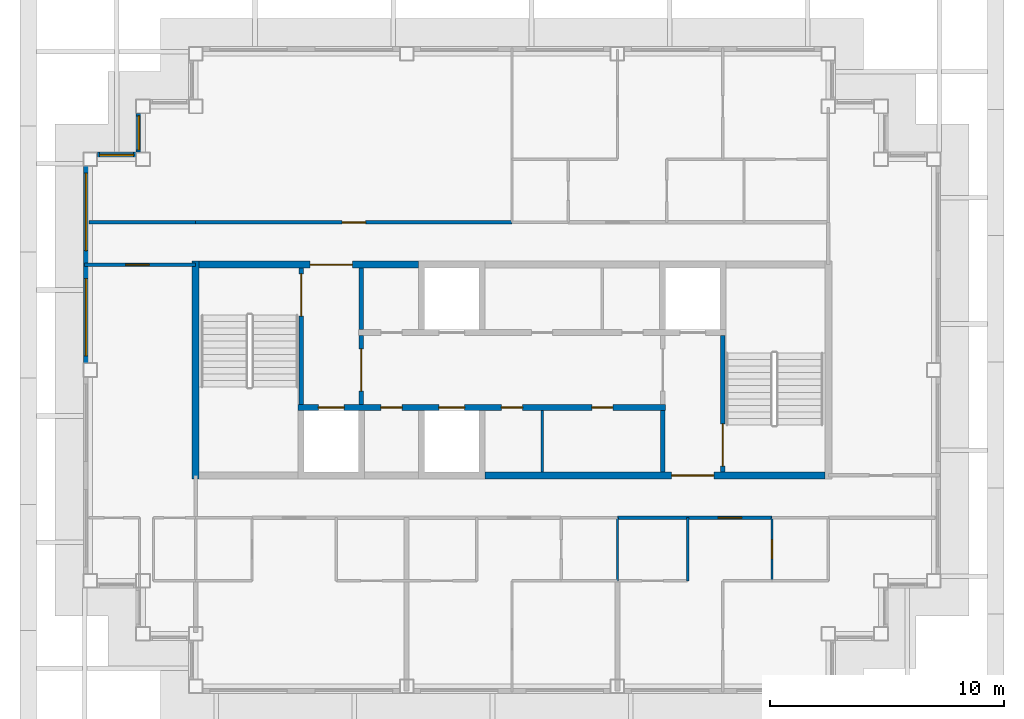
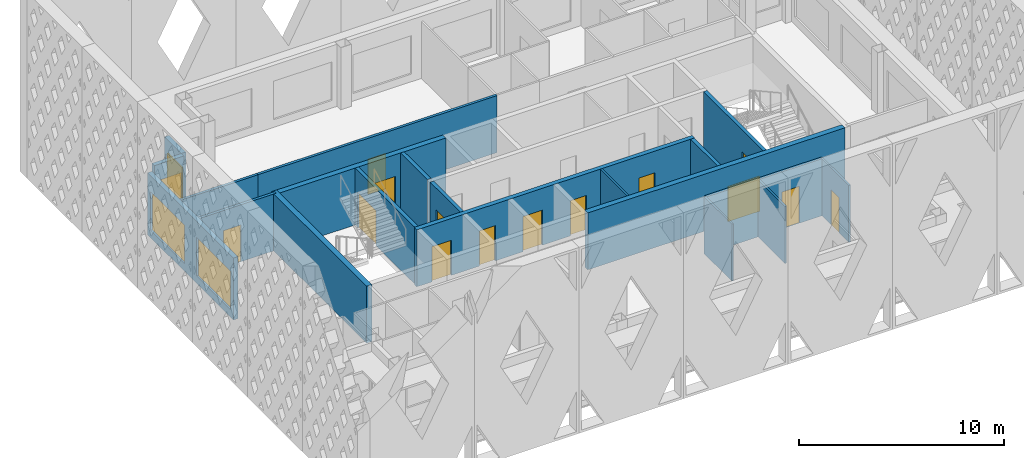
# One storey, part 3 of 13: 20 walls, 14 doors, 4 windows, 18 openings.
"""IFC4 building model written with IfcOpenShell, lengths in metres."""

from ifc_helpers import new_model, si_unit, direction, frame, frame_2d, origin, place, context, subcontext, project, spatial, rectangle, extrude, material, layer, layer_set, type_object, element, fill, save


model = new_model("IFC4")

# Units and contexts
model_context = context("Model", 3, precision=1e-05, world=origin(), true_north=direction((0.0, 1.0)))
body_context = subcontext(model_context, "Body", "Model", "MODEL_VIEW")
ifc_project = project(units=[si_unit("LENGTHUNIT", "METRE"), si_unit("AREAUNIT", "SQUARE_METRE"), si_unit("VOLUMEUNIT", "CUBIC_METRE"), si_unit("PLANEANGLEUNIT", "RADIAN"), si_unit("MASSUNIT", "GRAM", prefix="KILO")], contexts=[model_context])

# Site, building, storey
site_placement = place(None, origin())
site = spatial("IfcSite", under=ifc_project, at=site_placement, CompositionType="ELEMENT")
building_placement = place(site_placement, origin())
building = spatial("IfcBuilding", under=site, at=building_placement, Name="Caravel Reach Hotel and Residences", CompositionType="ELEMENT")
storey_placement = place(building_placement, frame((0.0, 0.0, 294.5)))
storey = spatial("IfcBuildingStorey", under=building, at=storey_placement, Name="L75", CompositionType="ELEMENT", Elevation=294.5)

# Wall
ifc_material_1 = material(Name="Gypsum board on steel stud", Category="steel")
ifc_layer_1 = layer(ifc_material_1, 0.10009765625)
ifc_layer_set_1 = layer_set([ifc_layer_1], Name="Bathroom pod wall 100 mm")
wall_type_1 = type_object("IfcWallType", Name="Bathroom pod wall 100 mm", PredefinedType="PARTITIONING", material=ifc_layer_set_1)
wall_1_placement = place(storey_placement, frame((36.0, 18.0, 0.0), z_axis=(0.0, 0.0, 1.0), x_axis=(0.0, 1.0, 0.0)))
element("IfcWall", 1, at=wall_1_placement, inside=storey, type_object=wall_type_1, Name="L75 wall w060", PredefinedType="PARTITIONING", context=body_context, shape_type="SweptSolid", body=[
    extrude(rectangle(XDim=2.699951171875, YDim=0.10009765625, at=frame_2d((1.35009765625, 0.0))), origin(), (0.0, 0.0, 1.0), 3.39990234375),
])

# Wall, opening, door
wall_2_placement = place(storey_placement, frame((42.60009765625, 18.0, 0.0), z_axis=(0.0, 0.0, 1.0), x_axis=(0.0, 1.0, 0.0)))
wall_2 = element("IfcWall", 2, at=wall_2_placement, inside=storey, type_object=wall_type_1, Name="L75 wall w061", PredefinedType="PARTITIONING", context=body_context, shape_type="SweptSolid", body=[
    extrude(rectangle(XDim=2.699951171875, YDim=0.10009765625, at=frame_2d((1.35009765625, 0.0))), origin(), (0.0, 0.0, 1.0), 3.39990234375),
])
opening_1_placement = place(wall_2_placement, frame((0.949951171875, 0.0, 0.0)))
opening_1 = element("IfcOpeningElement", 3, at=opening_1_placement, cuts=wall_2, Name="Opening D75-033", PredefinedType="OPENING", context=body_context, shape_type="SweptSolid", body=[
    extrude(rectangle(XDim=0.800048828125, YDim=2.10009765625, at=frame_2d((0.39990234375, 1.050048828125))), frame((0.0, 0.06005859375, 0.0), z_axis=(0.0, -1.0, 0.0), x_axis=(1.0, 0.0, 0.0)), (0.0, 0.0, 1.0), 0.1201171875),
])
ifc_material_2 = material(Name="Timber and steel door leaf", Category="steel")
door_type_1 = type_object("IfcDoorType", Name="Bathroom door 800 x 2100", OperationType="SINGLE_SWING_LEFT", PredefinedType="DOOR", material=ifc_material_2)
door_1_placement = place(opening_1_placement, origin())
door_1 = element("IfcDoor", 4, at=door_1_placement, inside=storey, type_object=door_type_1, Name="door D75-033", OperationType="SINGLE_SWING_LEFT", OverallHeight=2.10009765625, OverallWidth=0.800048828125, PredefinedType="DOOR", context=body_context, shape_type="SweptSolid", body=[
    extrude(rectangle(XDim=0.800048828125, YDim=2.10009765625, at=frame_2d((0.39990234375, 1.050048828125))), frame((0.0, 0.02490234375, 0.0), z_axis=(0.0, -1.0, 0.0), x_axis=(1.0, 0.0, 0.0)), (0.0, 0.0, 1.0), 0.050048828125),
])
fill(opening_1, door_1)

# Walls
ifc_material_3 = material(Name="Autoclaved aerated block wall")
ifc_layer_2 = layer(ifc_material_3, 0.199951171875)
ifc_layer_set_2 = layer_set([ifc_layer_2], Name="Compartment wall 200 mm EI 120")
wall_type_2 = type_object("IfcWallType", Name="Compartment wall 200 mm EI 120", PredefinedType="PARTITIONING", material=ifc_layer_set_2)
for number, where, z_axis, x_axis, name in (
    (5, (37.928466796875, 22.64990234375, 0.0), (0.0, 0.0, 1.0), (0.0, 1.0, 0.0), "L75 store partition"),
    (6, (25.071533203125, 28.72509765625, 0.0), (0.0, 0.0, 1.0), (0.0, 1.0, 0.0), "L75 store partition"),
):
    element("IfcWall", number, at=place(storey_placement, frame(where, z_axis=z_axis, x_axis=x_axis)), inside=storey, type_object=wall_type_2, Name=name, PredefinedType="PARTITIONING", context=body_context, shape_type="SweptSolid", body=[
        extrude(rectangle(XDim=2.625, YDim=0.199951171875, at=frame_2d((1.3125, 0.0))), origin(), (0.0, 0.0, 1.0), 3.39990234375),
    ])

# Wall, opening, door
ifc_material_4 = material(Name="Concrete C60", Category="concrete")
ifc_layer_3 = layer(ifc_material_4, 0.300048828125)
ifc_layer_set_3 = layer_set([ifc_layer_3], Name="Core wall 300 mm EI 120")
wall_type_3 = type_object("IfcWallType", Name="Core wall 300 mm EI 120", PredefinedType="SHEAR", material=ifc_layer_set_3)
wall_3_placement = place(storey_placement, frame((30.33935546875, 22.5, 0.0), z_axis=(0.0, 0.0, 1.0), x_axis=(1.0, 0.0, 0.0)))
wall_3 = element("IfcWall", 7, at=wall_3_placement, inside=storey, type_object=wall_type_3, Name="L75 core wall S3", PredefinedType="SHEAR", context=body_context, shape_type="SweptSolid", body=[
    extrude(rectangle(XDim=14.5107421875, YDim=0.300048828125, at=frame_2d((7.25537109375, 0.0))), origin(), (0.0, 0.0, 1.0), 3.39990234375),
])
opening_2_placement = place(wall_3_placement, frame((7.97509765625, 0.0, 0.0)))
opening_2 = element("IfcOpeningElement", 8, at=opening_2_placement, cuts=wall_3, Name="Opening D75-016", PredefinedType="OPENING", context=body_context, shape_type="SweptSolid", body=[
    extrude(rectangle(XDim=1.800048828125, YDim=2.10009765625, at=frame_2d((0.89990234375, 1.050048828125))), frame((0.0, 0.159912109375, 0.0), z_axis=(0.0, -1.0, 0.0), x_axis=(1.0, 0.0, 0.0)), (0.0, 0.0, 1.0), 0.320068359375),
])
ifc_material_5 = material(Name="Steel fire door leaf", Category="steel")
door_type_2 = type_object("IfcDoorType", Name="Fire lobby door pair 1800 x 2100 EI 90", OperationType="DOUBLE_DOOR_SINGLE_SWING", PredefinedType="DOOR", material=ifc_material_5)
door_2_placement = place(opening_2_placement, origin())
door_2 = element("IfcDoor", 9, at=door_2_placement, inside=storey, type_object=door_type_2, Name="lobby S door pair to corridor", OperationType="DOUBLE_DOOR_SINGLE_SWING", OverallHeight=2.10009765625, OverallWidth=1.800048828125, PredefinedType="DOOR", context=body_context, shape_type="SweptSolid", body=[
    extrude(rectangle(XDim=1.800048828125, YDim=2.10009765625, at=frame_2d((0.89990234375, 1.050048828125))), frame((0.0, 0.02490234375, 0.0), z_axis=(0.0, -1.0, 0.0), x_axis=(1.0, 0.0, 0.0)), (0.0, 0.0, 1.0), 0.050048828125),
])
fill(opening_2, door_2)

wall_4_placement = place(storey_placement, frame((18.14990234375, 31.5, 0.0), z_axis=(0.0, 0.0, 1.0), x_axis=(1.0, 0.0, 0.0)))
wall_4 = element("IfcWall", 10, at=wall_4_placement, inside=storey, type_object=wall_type_3, Name="L75 core wall N1", PredefinedType="SHEAR", context=body_context, shape_type="SweptSolid", body=[
    extrude(rectangle(XDim=9.367919921875, YDim=0.300048828125, at=frame_2d((4.68408203125, 0.0))), origin(), (0.0, 0.0, 1.0), 3.39990234375),
])
opening_3_placement = place(wall_4_placement, frame((4.735595703125, 0.0, 0.0)))
opening_3 = element("IfcOpeningElement", 11, at=opening_3_placement, cuts=wall_4, Name="Opening D75-015", PredefinedType="OPENING", context=body_context, shape_type="SweptSolid", body=[
    extrude(rectangle(XDim=1.800048828125, YDim=2.10009765625, at=frame_2d((0.89990234375, 1.050048828125))), frame((0.0, 0.159912109375, 0.0), z_axis=(0.0, -1.0, 0.0), x_axis=(1.0, 0.0, 0.0)), (0.0, 0.0, 1.0), 0.320068359375),
])
door_3_placement = place(opening_3_placement, origin())
door_3 = element("IfcDoor", 12, at=door_3_placement, inside=storey, type_object=door_type_2, Name="lobby N door pair to corridor", OperationType="DOUBLE_DOOR_SINGLE_SWING", OverallHeight=2.10009765625, OverallWidth=1.800048828125, PredefinedType="DOOR", context=body_context, shape_type="SweptSolid", body=[
    extrude(rectangle(XDim=1.800048828125, YDim=2.10009765625, at=frame_2d((0.89990234375, 1.050048828125))), frame((0.0, 0.02490234375, 0.0), z_axis=(0.0, -1.0, 0.0), x_axis=(1.0, 0.0, 0.0)), (0.0, 0.0, 1.0), 0.050048828125),
])
fill(opening_3, door_3)

# Wall
wall_5_placement = place(storey_placement, frame((18.0, 22.35009765625, 0.0), z_axis=(0.0, 0.0, 1.0), x_axis=(0.0, 1.0, 0.0)))
element("IfcWall", 13, at=wall_5_placement, inside=storey, type_object=wall_type_3, Name="L75 core wall W", PredefinedType="SHEAR", context=body_context, shape_type="SweptSolid", body=[
    extrude(rectangle(XDim=9.2998046875, YDim=0.300048828125, at=frame_2d((4.64990234375, 0.0))), origin(), (0.0, 0.0, 1.0), 3.39990234375),
])

# Wall, opening, door
ifc_material_6 = material(Name="Gypsum board on steel stud, fire-rated", Category="steel")
ifc_layer_4 = layer(ifc_material_6, 0.14990234375)
ifc_layer_set_4 = layer_set([ifc_layer_4], Name="Corridor wall 150 mm EI 60")
wall_type_4 = type_object("IfcWallType", Name="Corridor wall 150 mm EI 60", PredefinedType="PARTITIONING", material=ifc_layer_set_4)
wall_6_placement = place(storey_placement, frame((36.0, 20.699951171875, 0.0), z_axis=(0.0, 0.0, 1.0), x_axis=(1.0, 0.0, 0.0)))
wall_6 = element("IfcWall", 14, at=wall_6_placement, inside=storey, type_object=wall_type_4, Name="L75 wall w007", PredefinedType="PARTITIONING", context=body_context, shape_type="SweptSolid", body=[
    extrude(rectangle(XDim=6.60009765625, YDim=0.14990234375, at=frame_2d((3.300048828125, 0.0))), origin(), (0.0, 0.0, 1.0), 3.39990234375),
])
opening_4_placement = place(wall_6_placement, frame((4.300048828125, 0.0, 0.0)))
opening_4 = element("IfcOpeningElement", 15, at=opening_4_placement, cuts=wall_6, Name="Opening D75-031", PredefinedType="OPENING", context=body_context, shape_type="SweptSolid", body=[
    extrude(rectangle(XDim=1.0, YDim=2.199951171875, at=frame_2d((0.5, 1.10009765625))), frame((0.0, 0.0849609375, 0.0), z_axis=(0.0, -1.0, 0.0), x_axis=(1.0, 0.0, 0.0)), (0.0, 0.0, 1.0), 0.169921875),
])
ifc_material_7 = material(Name="Steel fire door leaf", Category="steel")
door_type_3 = type_object("IfcDoorType", Name="Flat entrance door 1000 x 2200 EI 60", OperationType="SINGLE_SWING_LEFT", PredefinedType="DOOR", material=ifc_material_7)
door_4_placement = place(opening_4_placement, origin())
door_4 = element("IfcDoor", 16, at=door_4_placement, inside=storey, type_object=door_type_3, Name="door D75-031", OperationType="SINGLE_SWING_LEFT", OverallHeight=2.199951171875, OverallWidth=1.0, PredefinedType="DOOR", context=body_context, shape_type="SweptSolid", body=[
    extrude(rectangle(XDim=1.0, YDim=2.199951171875, at=frame_2d((0.5, 1.10009765625))), frame((0.0, 0.02490234375, 0.0), z_axis=(0.0, -1.0, 0.0), x_axis=(1.0, 0.0, 0.0)), (0.0, 0.0, 1.0), 0.050048828125),
])
fill(opening_4, door_4)

wall_7_placement = place(storey_placement, frame((13.260009765625, 31.5, 0.0), z_axis=(0.0, 0.0, 1.0), x_axis=(1.0, 0.0, 0.0)))
wall_7 = element("IfcWall", 17, at=wall_7_placement, inside=storey, type_object=wall_type_4, Name="L75 wall w009", PredefinedType="PARTITIONING", context=body_context, shape_type="SweptSolid", body=[
    extrude(rectangle(XDim=4.739990234375, YDim=0.14990234375, at=frame_2d((2.3701171875, 0.0))), origin(), (0.0, 0.0, 1.0), 3.39990234375),
])
opening_5_placement = place(wall_7_placement, frame((1.75, 0.0, 0.0)))
opening_5 = element("IfcOpeningElement", 18, at=opening_5_placement, cuts=wall_7, Name="Opening D75-035", PredefinedType="OPENING", context=body_context, shape_type="SweptSolid", body=[
    extrude(rectangle(XDim=1.0, YDim=2.199951171875, at=frame_2d((0.5, 1.10009765625))), frame((0.0, 0.0849609375, 0.0), z_axis=(0.0, -1.0, 0.0), x_axis=(1.0, 0.0, 0.0)), (0.0, 0.0, 1.0), 0.169921875),
])
door_5_placement = place(opening_5_placement, origin())
door_5 = element("IfcDoor", 19, at=door_5_placement, inside=storey, type_object=door_type_3, Name="door D75-035", OperationType="SINGLE_SWING_LEFT", OverallHeight=2.199951171875, OverallWidth=1.0, PredefinedType="DOOR", context=body_context, shape_type="SweptSolid", body=[
    extrude(rectangle(XDim=1.0, YDim=2.199951171875, at=frame_2d((0.5, 1.10009765625))), frame((0.0, 0.02490234375, 0.0), z_axis=(0.0, -1.0, 0.0), x_axis=(1.0, 0.0, 0.0)), (0.0, 0.0, 1.0), 0.050048828125),
])
fill(opening_5, door_5)

# Wall
wall_8_placement = place(storey_placement, frame((13.449951171875, 33.300048828125, 0.0), z_axis=(0.0, 0.0, 1.0), x_axis=(1.0, 0.0, 0.0)))
element("IfcWall", 20, at=wall_8_placement, inside=storey, type_object=wall_type_4, Name="L75 wall w010", PredefinedType="PARTITIONING", context=body_context, shape_type="SweptSolid", body=[
    extrude(rectangle(XDim=4.549072265625, YDim=0.14990234375, at=frame_2d((2.2744140625, 0.0))), origin(), (0.0, 0.0, 1.0), 3.39990234375),
])

# Wall, opening, door
wall_9_placement = place(storey_placement, frame((18.0, 33.300048828125, 0.0), z_axis=(0.0, 0.0, 1.0), x_axis=(1.0, 0.0, 0.0)))
wall_9 = element("IfcWall", 21, at=wall_9_placement, inside=storey, type_object=wall_type_4, Name="L75 wall w011", PredefinedType="PARTITIONING", context=body_context, shape_type="SweptSolid", body=[
    extrude(rectangle(XDim=13.5, YDim=0.14990234375, at=frame_2d((6.75, 0.0))), origin(), (0.0, 0.0, 1.0), 3.39990234375),
])
opening_6_placement = place(wall_9_placement, frame((6.25, 0.0, 0.0)))
opening_6 = element("IfcOpeningElement", 22, at=opening_6_placement, cuts=wall_9, Name="Opening D75-017", PredefinedType="OPENING", context=body_context, shape_type="SweptSolid", body=[
    extrude(rectangle(XDim=1.0, YDim=2.10009765625, at=frame_2d((0.5, 1.050048828125))), frame((0.0, 0.0849609375, 0.0), z_axis=(0.0, -1.0, 0.0), x_axis=(1.0, 0.0, 0.0)), (0.0, 0.0, 1.0), 0.169921875),
])
ifc_material_8 = material(Name="Steel fire door leaf", Category="steel")
door_type_4 = type_object("IfcDoorType", Name="Fire door 1000 x 2100 EI 60", OperationType="SINGLE_SWING_LEFT", PredefinedType="DOOR", material=ifc_material_8)
door_6_placement = place(opening_6_placement, origin())
door_6 = element("IfcDoor", 23, at=door_6_placement, inside=storey, type_object=door_type_4, Name="door D75-017", OperationType="SINGLE_SWING_LEFT", OverallHeight=2.10009765625, OverallWidth=1.0, PredefinedType="DOOR", context=body_context, shape_type="SweptSolid", body=[
    extrude(rectangle(XDim=1.0, YDim=2.10009765625, at=frame_2d((0.5, 1.050048828125))), frame((0.0, 0.02490234375, 0.0), z_axis=(0.0, -1.0, 0.0), x_axis=(1.0, 0.0, 0.0)), (0.0, 0.0, 1.0), 0.050048828125),
])
fill(opening_6, door_6)

# Wall, opening, window
ifc_material_9 = material(Name="Insulated rainscreen wall, aluminium cladding", Category="aluminium")
ifc_layer_5 = layer(ifc_material_9, 0.25)
ifc_layer_set_5 = layer_set([ifc_layer_5], Name="EW1 Tower rainscreen wall")
wall_type_5 = type_object("IfcWallType", Name="EW1 Tower rainscreen wall", PredefinedType="SOLIDWALL", material=ifc_layer_set_5)
wall_10_placement = place(storey_placement, frame((15.574951171875, 37.949951171875, 0.0), z_axis=(0.0, 0.0, 1.0), x_axis=(0.0, -1.0, 0.0)))
wall_10 = element("IfcWall", 24, at=wall_10_placement, inside=storey, type_object=wall_type_5, Name="External wall L75 W13.1", PredefinedType="SOLIDWALL", context=body_context, shape_type="SweptSolid", body=[
    extrude(rectangle(XDim=1.64990234375, YDim=0.25, at=frame_2d((0.824951171875, 0.0))), origin(), (0.0, 0.0, 1.0), 3.699951171875),
])
opening_7_placement = place(wall_10_placement, frame((0.10009765625, 0.0, 0.89990234375)))
opening_7 = element("IfcOpeningElement", 25, at=opening_7_placement, cuts=wall_10, Name="Opening WN25", PredefinedType="OPENING", context=body_context, shape_type="SweptSolid", body=[
    extrude(rectangle(XDim=1.449951171875, YDim=1.85009765625, at=frame_2d((0.72509765625, 0.925048828125))), frame((0.0, 0.135009765625, 0.0), z_axis=(0.0, -1.0, 0.0), x_axis=(1.0, 0.0, 0.0)), (0.0, 0.0, 1.0), 0.27001953125),
])
ifc_material_10 = material(Name="Dark low-e glazing in black aluminium frame", Category="aluminium")
window_type_1 = type_object("IfcWindowType", Name="Residence bedroom window 1450 x 1850", PartitioningType="SINGLE_PANEL", PredefinedType="WINDOW", material=ifc_material_10)
window_1_placement = place(opening_7_placement, origin())
window_1 = element("IfcWindow", 26, at=window_1_placement, inside=storey, type_object=window_type_1, Name="Window L75 W13.1.1", OverallHeight=1.85009765625, OverallWidth=1.449951171875, PartitioningType="SINGLE_PANEL", PredefinedType="WINDOW", context=body_context, shape_type="SweptSolid", body=[
    extrude(rectangle(XDim=1.449951171875, YDim=1.85009765625, at=frame_2d((0.72509765625, 0.925048828125))), frame((0.0, 0.030029296875, 0.0), z_axis=(0.0, -1.0, 0.0), x_axis=(1.0, 0.0, 0.0)), (0.0, 0.0, 1.0), 0.06005859375),
])
fill(opening_7, window_1)

wall_11_placement = place(storey_placement, frame((15.449951171875, 36.175048828125, 0.0), z_axis=(0.0, 0.0, 1.0), x_axis=(-1.0, 0.0, 0.0)))
wall_11 = element("IfcWall", 27, at=wall_11_placement, inside=storey, type_object=wall_type_5, Name="External wall L75 N14.1", PredefinedType="SOLIDWALL", context=body_context, shape_type="SweptSolid", body=[
    extrude(rectangle(XDim=1.64990234375, YDim=0.25, at=frame_2d((0.824951171875, 0.0))), origin(), (0.0, 0.0, 1.0), 3.699951171875),
])
opening_8_placement = place(wall_11_placement, frame((0.10009765625, 0.0, 0.89990234375)))
opening_8 = element("IfcOpeningElement", 28, at=opening_8_placement, cuts=wall_11, Name="Opening WN25", PredefinedType="OPENING", context=body_context, shape_type="SweptSolid", body=[
    extrude(rectangle(XDim=1.449951171875, YDim=1.85009765625, at=frame_2d((0.72509765625, 0.925048828125))), frame((0.0, 0.135009765625, 0.0), z_axis=(0.0, -1.0, 0.0), x_axis=(1.0, 0.0, 0.0)), (0.0, 0.0, 1.0), 0.27001953125),
])
window_2_placement = place(opening_8_placement, origin())
window_2 = element("IfcWindow", 29, at=window_2_placement, inside=storey, type_object=window_type_1, Name="Window L75 N14.1.1", OverallHeight=1.85009765625, OverallWidth=1.449951171875, PartitioningType="SINGLE_PANEL", PredefinedType="WINDOW", context=body_context, shape_type="SweptSolid", body=[
    extrude(rectangle(XDim=1.449951171875, YDim=1.85009765625, at=frame_2d((0.72509765625, 0.925048828125))), frame((0.0, 0.030029296875, 0.0), z_axis=(0.0, -1.0, 0.0), x_axis=(1.0, 0.0, 0.0)), (0.0, 0.0, 1.0), 0.06005859375),
])
fill(opening_8, window_2)

# Wall, openings, windows
wall_12_placement = place(storey_placement, frame((13.324951171875, 35.699951171875, 0.0), z_axis=(0.0, 0.0, 1.0), x_axis=(0.0, -1.0, 0.0)))
wall_12 = element("IfcWall", 30, at=wall_12_placement, inside=storey, type_object=wall_type_5, Name="External wall L75 W15.1", PredefinedType="SOLIDWALL", context=body_context, shape_type="SweptSolid", body=[
    extrude(rectangle(XDim=8.39990234375, YDim=0.25, at=frame_2d((4.199951171875, 0.0))), origin(), (0.0, 0.0, 1.0), 3.699951171875),
])
opening_9_placement = place(wall_12_placement, frame((0.300048828125, 0.0, 0.449951171875)))
opening_9 = element("IfcOpeningElement", 31, at=opening_9_placement, cuts=wall_12, Name="Opening WN15", PredefinedType="OPENING", context=body_context, shape_type="SweptSolid", body=[
    extrude(rectangle(XDim=3.300048828125, YDim=2.300048828125, at=frame_2d((1.64990234375, 1.14990234375))), frame((0.0, 0.135009765625, 0.0), z_axis=(0.0, -1.0, 0.0), x_axis=(1.0, 0.0, 0.0)), (0.0, 0.0, 1.0), 0.27001953125),
])
opening_10_placement = place(wall_12_placement, frame((4.800048828125, 0.0, 0.449951171875)))
opening_10 = element("IfcOpeningElement", 32, at=opening_10_placement, cuts=wall_12, Name="Opening WN15", PredefinedType="OPENING", context=body_context, shape_type="SweptSolid", body=[
    extrude(rectangle(XDim=3.300048828125, YDim=2.300048828125, at=frame_2d((1.64990234375, 1.14990234375))), frame((0.0, 0.135009765625, 0.0), z_axis=(0.0, -1.0, 0.0), x_axis=(1.0, 0.0, 0.0)), (0.0, 0.0, 1.0), 0.27001953125),
])
ifc_material_11 = material(Name="Dark low-e glazing in black aluminium frame", Category="aluminium")
window_type_2 = type_object("IfcWindowType", Name="Residence living window 3300 x 2300", PartitioningType="SINGLE_PANEL", PredefinedType="WINDOW", material=ifc_material_11)
window_3_placement = place(opening_9_placement, origin())
window_3 = element("IfcWindow", 33, at=window_3_placement, inside=storey, type_object=window_type_2, Name="Window L75 W15.1.1", OverallHeight=2.300048828125, OverallWidth=3.300048828125, PartitioningType="SINGLE_PANEL", PredefinedType="WINDOW", context=body_context, shape_type="SweptSolid", body=[
    extrude(rectangle(XDim=3.300048828125, YDim=2.300048828125, at=frame_2d((1.64990234375, 1.14990234375))), frame((0.0, 0.030029296875, 0.0), z_axis=(0.0, -1.0, 0.0), x_axis=(1.0, 0.0, 0.0)), (0.0, 0.0, 1.0), 0.06005859375),
])
fill(opening_9, window_3)
window_4_placement = place(opening_10_placement, origin())
window_4 = element("IfcWindow", 34, at=window_4_placement, inside=storey, type_object=window_type_2, Name="Window L75 W15.1.2", OverallHeight=2.300048828125, OverallWidth=3.300048828125, PartitioningType="SINGLE_PANEL", PredefinedType="WINDOW", context=body_context, shape_type="SweptSolid", body=[
    extrude(rectangle(XDim=3.300048828125, YDim=2.300048828125, at=frame_2d((1.64990234375, 1.14990234375))), frame((0.0, 0.030029296875, 0.0), z_axis=(0.0, -1.0, 0.0), x_axis=(1.0, 0.0, 0.0)), (0.0, 0.0, 1.0), 0.06005859375),
])
fill(opening_10, window_4)

# Wall, opening, door
ifc_material_12 = material(Name="Autoclaved aerated block wall")
ifc_layer_6 = layer(ifc_material_12, 0.199951171875)
ifc_layer_set_6 = layer_set([ifc_layer_6], Name="Fire lobby wall 200 mm EI 120")
wall_type_6 = type_object("IfcWallType", Name="Fire lobby wall 200 mm EI 120", PredefinedType="PARTITIONING", material=ifc_layer_set_6)
wall_13_placement = place(storey_placement, frame((25.071533203125, 25.52490234375, 0.0), z_axis=(0.0, 0.0, 1.0), x_axis=(0.0, 1.0, 0.0)))
wall_13 = element("IfcWall", 35, at=wall_13_placement, inside=storey, type_object=wall_type_6, Name="L75 lobby W wall", PredefinedType="PARTITIONING", context=body_context, shape_type="SweptSolid", body=[
    extrude(rectangle(XDim=2.9501953125, YDim=0.199951171875, at=frame_2d((1.47509765625, 0.0))), origin(), (0.0, 0.0, 1.0), 3.39990234375),
])
opening_11_placement = place(wall_13_placement, frame((0.574951171875, 0.0, 0.0)))
opening_11 = element("IfcOpeningElement", 36, at=opening_11_placement, cuts=wall_13, Name="Opening D75-013", PredefinedType="OPENING", context=body_context, shape_type="SweptSolid", body=[
    extrude(rectangle(XDim=1.800048828125, YDim=2.10009765625, at=frame_2d((0.89990234375, 1.050048828125))), frame((0.0, 0.10986328125, 0.0), z_axis=(0.0, -1.0, 0.0), x_axis=(1.0, 0.0, 0.0)), (0.0, 0.0, 1.0), 0.219970703125),
])
door_7_placement = place(opening_11_placement, origin())
door_7 = element("IfcDoor", 37, at=door_7_placement, inside=storey, type_object=door_type_2, Name="lobby W door pair", OperationType="DOUBLE_DOOR_SINGLE_SWING", OverallHeight=2.10009765625, OverallWidth=1.800048828125, PredefinedType="DOOR", context=body_context, shape_type="SweptSolid", body=[
    extrude(rectangle(XDim=1.800048828125, YDim=2.10009765625, at=frame_2d((0.89990234375, 1.050048828125))), frame((0.0, 0.02490234375, 0.0), z_axis=(0.0, -1.0, 0.0), x_axis=(1.0, 0.0, 0.0)), (0.0, 0.0, 1.0), 0.050048828125),
])
fill(opening_11, door_7)

# Walls
ifc_material_13 = material(Name="Gypsum board on steel stud", Category="steel")
ifc_layer_7 = layer(ifc_material_13, 0.10009765625)
ifc_layer_set_7 = layer_set([ifc_layer_7], Name="Partition 100 mm")
wall_type_7 = type_object("IfcWallType", Name="Partition 100 mm", PredefinedType="PARTITIONING", material=ifc_layer_set_7)
wall_14_placement = place(storey_placement, frame((32.78564453125, 22.64990234375, 0.0), z_axis=(0.0, 0.0, 1.0), x_axis=(0.0, 1.0, 0.0)))
element("IfcWall", 38, at=wall_14_placement, inside=storey, type_object=wall_type_7, Name="L75 store partition", PredefinedType="PARTITIONING", context=body_context, shape_type="SweptSolid", body=[
    extrude(rectangle(XDim=2.625, YDim=0.10009765625, at=frame_2d((1.3125, 0.0))), origin(), (0.0, 0.0, 1.0), 3.39990234375),
])
wall_15_placement = place(storey_placement, frame((39.0, 18.0, 0.0), z_axis=(0.0, 0.0, 1.0), x_axis=(0.0, 1.0, 0.0)))
element("IfcWall", 39, at=wall_15_placement, inside=storey, type_object=wall_type_7, Name="L75 wall w035", PredefinedType="PARTITIONING", context=body_context, shape_type="SweptSolid", body=[
    extrude(rectangle(XDim=2.699951171875, YDim=0.10009765625, at=frame_2d((1.35009765625, 0.0))), origin(), (0.0, 0.0, 1.0), 3.39990234375),
])

# Wall, openings, doors
ifc_material_14 = material(Name="Concrete C60", Category="concrete")
ifc_layer_8 = layer(ifc_material_14, 0.25)
ifc_layer_set_8 = layer_set([ifc_layer_8], Name="Shaft wall 250 mm EI 120")
wall_type_8 = type_object("IfcWallType", Name="Shaft wall 250 mm EI 120", PredefinedType="SHEAR", material=ifc_layer_set_8)
wall_16_placement = place(storey_placement, frame((22.375, 25.39990234375, 0.0), z_axis=(0.0, 0.0, 1.0), x_axis=(1.0, 0.0, 0.0)))
wall_16 = element("IfcWall", 40, at=wall_16_placement, inside=storey, type_object=wall_type_8, Name="L75 lobby wall S1", PredefinedType="SHEAR", context=body_context, shape_type="SweptSolid", body=[
    extrude(rectangle(XDim=15.678466796875, YDim=0.25, at=frame_2d((7.83935546875, 0.0))), origin(), (0.0, 0.0, 1.0), 3.39990234375),
])
opening_12_placement = place(wall_16_placement, frame((6.003662109375, 0.0, 0.0)))
opening_12 = element("IfcOpeningElement", 41, at=opening_12_placement, cuts=wall_16, Name="Opening D75-001", PredefinedType="OPENING", context=body_context, shape_type="SweptSolid", body=[
    extrude(rectangle(XDim=1.10009765625, YDim=2.10009765625, at=frame_2d((0.550048828125, 1.050048828125))), frame((0.0, 0.135009765625, 0.0), z_axis=(0.0, -1.0, 0.0), x_axis=(1.0, 0.0, 0.0)), (0.0, 0.0, 1.0), 0.27001953125),
])
opening_13_placement = place(wall_16_placement, frame((0.860595703125, 0.0, 0.0)))
opening_13 = element("IfcOpeningElement", 42, at=opening_13_placement, cuts=wall_16, Name="Opening D75-003", PredefinedType="OPENING", context=body_context, shape_type="SweptSolid", body=[
    extrude(rectangle(XDim=1.10009765625, YDim=2.10009765625, at=frame_2d((0.550048828125, 1.050048828125))), frame((0.0, 0.135009765625, 0.0), z_axis=(0.0, -1.0, 0.0), x_axis=(1.0, 0.0, 0.0)), (0.0, 0.0, 1.0), 0.27001953125),
])
opening_14_placement = place(wall_16_placement, frame((3.531982421875, 0.0, 0.0)))
opening_14 = element("IfcOpeningElement", 43, at=opening_14_placement, cuts=wall_16, Name="Opening D75-005", PredefinedType="OPENING", context=body_context, shape_type="SweptSolid", body=[
    extrude(rectangle(XDim=0.89990234375, YDim=2.10009765625, at=frame_2d((0.449951171875, 1.050048828125))), frame((0.0, 0.135009765625, 0.0), z_axis=(0.0, -1.0, 0.0), x_axis=(1.0, 0.0, 0.0)), (0.0, 0.0, 1.0), 0.27001953125),
])
opening_15_placement = place(wall_16_placement, frame((8.675048828125, 0.0, 0.0)))
opening_15 = element("IfcOpeningElement", 44, at=opening_15_placement, cuts=wall_16, Name="Opening D75-006", PredefinedType="OPENING", context=body_context, shape_type="SweptSolid", body=[
    extrude(rectangle(XDim=0.89990234375, YDim=2.10009765625, at=frame_2d((0.449951171875, 1.050048828125))), frame((0.0, 0.135009765625, 0.0), z_axis=(0.0, -1.0, 0.0), x_axis=(1.0, 0.0, 0.0)), (0.0, 0.0, 1.0), 0.27001953125),
])
opening_16_placement = place(wall_16_placement, frame((12.531982421875, 0.0, 0.0)))
opening_16 = element("IfcOpeningElement", 45, at=opening_16_placement, cuts=wall_16, Name="Opening D75-007", PredefinedType="OPENING", context=body_context, shape_type="SweptSolid", body=[
    extrude(rectangle(XDim=0.89990234375, YDim=2.10009765625, at=frame_2d((0.449951171875, 1.050048828125))), frame((0.0, 0.135009765625, 0.0), z_axis=(0.0, -1.0, 0.0), x_axis=(1.0, 0.0, 0.0)), (0.0, 0.0, 1.0), 0.27001953125),
])
ifc_material_15 = material(Name="Stainless steel landing door", Category="steel")
door_type_5 = type_object("IfcDoorType", Name="Landing door LD 1100 x 2100 sliding", OperationType="DOUBLE_DOOR_SLIDING", PredefinedType="DOOR", material=ifc_material_15)
door_8_placement = place(opening_12_placement, origin())
door_8 = element("IfcDoor", 46, at=door_8_placement, inside=storey, type_object=door_type_5, Name="HP1 landing door", OperationType="DOUBLE_DOOR_SLIDING", OverallHeight=2.10009765625, OverallWidth=1.10009765625, PredefinedType="DOOR", context=body_context, shape_type="SweptSolid", body=[
    extrude(rectangle(XDim=1.10009765625, YDim=2.10009765625, at=frame_2d((0.550048828125, 1.050048828125))), frame((0.0, 0.02490234375, 0.0), z_axis=(0.0, -1.0, 0.0), x_axis=(1.0, 0.0, 0.0)), (0.0, 0.0, 1.0), 0.050048828125),
])
fill(opening_12, door_8)
door_9_placement = place(opening_13_placement, origin())
door_9 = element("IfcDoor", 47, at=door_9_placement, inside=storey, type_object=door_type_5, Name="FL1 landing door", OperationType="DOUBLE_DOOR_SLIDING", OverallHeight=2.10009765625, OverallWidth=1.10009765625, PredefinedType="DOOR", context=body_context, shape_type="SweptSolid", body=[
    extrude(rectangle(XDim=1.10009765625, YDim=2.10009765625, at=frame_2d((0.550048828125, 1.050048828125))), frame((0.0, 0.02490234375, 0.0), z_axis=(0.0, -1.0, 0.0), x_axis=(1.0, 0.0, 0.0)), (0.0, 0.0, 1.0), 0.050048828125),
])
fill(opening_13, door_9)
ifc_material_16 = material(Name="Steel fire door leaf", Category="steel")
door_type_6 = type_object("IfcDoorType", Name="Riser door 900 x 2100 EI 60", OperationType="SINGLE_SWING_LEFT", PredefinedType="DOOR", material=ifc_material_16)
door_10_placement = place(opening_14_placement, origin())
door_10 = element("IfcDoor", 48, at=door_10_placement, inside=storey, type_object=door_type_6, Name="Linen store door", OperationType="SINGLE_SWING_LEFT", OverallHeight=2.10009765625, OverallWidth=0.89990234375, PredefinedType="DOOR", context=body_context, shape_type="SweptSolid", body=[
    extrude(rectangle(XDim=0.89990234375, YDim=2.10009765625, at=frame_2d((0.449951171875, 1.050048828125))), frame((0.0, 0.02490234375, 0.0), z_axis=(0.0, -1.0, 0.0), x_axis=(1.0, 0.0, 0.0)), (0.0, 0.0, 1.0), 0.050048828125),
])
fill(opening_14, door_10)
door_11_placement = place(opening_15_placement, origin())
door_11 = element("IfcDoor", 49, at=door_11_placement, inside=storey, type_object=door_type_6, Name="Cleaners' room door", OperationType="SINGLE_SWING_LEFT", OverallHeight=2.10009765625, OverallWidth=0.89990234375, PredefinedType="DOOR", context=body_context, shape_type="SweptSolid", body=[
    extrude(rectangle(XDim=0.89990234375, YDim=2.10009765625, at=frame_2d((0.449951171875, 1.050048828125))), frame((0.0, 0.02490234375, 0.0), z_axis=(0.0, -1.0, 0.0), x_axis=(1.0, 0.0, 0.0)), (0.0, 0.0, 1.0), 0.050048828125),
])
fill(opening_15, door_11)
door_12_placement = place(opening_16_placement, origin())
door_12 = element("IfcDoor", 50, at=door_12_placement, inside=storey, type_object=door_type_6, Name="Electrical riser room door", OperationType="SINGLE_SWING_LEFT", OverallHeight=2.10009765625, OverallWidth=0.89990234375, PredefinedType="DOOR", context=body_context, shape_type="SweptSolid", body=[
    extrude(rectangle(XDim=0.89990234375, YDim=2.10009765625, at=frame_2d((0.449951171875, 1.050048828125))), frame((0.0, 0.02490234375, 0.0), z_axis=(0.0, -1.0, 0.0), x_axis=(1.0, 0.0, 0.0)), (0.0, 0.0, 1.0), 0.050048828125),
])
fill(opening_16, door_12)

# Wall, opening, door
ifc_material_17 = material(Name="Concrete C60", Category="concrete")
ifc_layer_9 = layer(ifc_material_17, 0.199951171875)
ifc_layer_set_9 = layer_set([ifc_layer_9], Name="Stair enclosure wall 200 mm EI 120")
wall_type_9 = type_object("IfcWallType", Name="Stair enclosure wall 200 mm EI 120", PredefinedType="SHEAR", material=ifc_layer_set_9)
wall_17_placement = place(storey_placement, frame((22.5, 31.35009765625, 0.0), z_axis=(0.0, 0.0, 1.0), x_axis=(0.0, -1.0, 0.0)))
wall_17 = element("IfcWall", 51, at=wall_17_placement, inside=storey, type_object=wall_type_9, Name="L75 stair A wall", PredefinedType="SHEAR", context=body_context, shape_type="SweptSolid", body=[
    extrude(rectangle(XDim=5.8251953125, YDim=0.199951171875, at=frame_2d((2.91259765625, 0.0))), origin(), (0.0, 0.0, 1.0), 3.39990234375),
])
opening_17_placement = place(wall_17_placement, frame((0.25, 0.0, 0.0)))
opening_17 = element("IfcOpeningElement", 52, at=opening_17_placement, cuts=wall_17, Name="Opening D75-011", PredefinedType="OPENING", context=body_context, shape_type="SweptSolid", body=[
    extrude(rectangle(XDim=1.800048828125, YDim=2.10009765625, at=frame_2d((0.89990234375, 1.050048828125))), frame((0.0, 0.10986328125, 0.0), z_axis=(0.0, -1.0, 0.0), x_axis=(1.0, 0.0, 0.0)), (0.0, 0.0, 1.0), 0.219970703125),
])
ifc_material_18 = material(Name="Steel fire door leaf", Category="steel")
door_type_7 = type_object("IfcDoorType", Name="Stair door pair 1800 x 2100 EI 90", OperationType="DOUBLE_DOOR_SINGLE_SWING", PredefinedType="DOOR", material=ifc_material_18)
door_13_placement = place(opening_17_placement, origin())
door_13 = element("IfcDoor", 53, at=door_13_placement, inside=storey, type_object=door_type_7, Name="stair A door pair", OperationType="DOUBLE_DOOR_SINGLE_SWING", OverallHeight=2.10009765625, OverallWidth=1.800048828125, PredefinedType="DOOR", context=body_context, shape_type="SweptSolid", body=[
    extrude(rectangle(XDim=1.800048828125, YDim=2.10009765625, at=frame_2d((0.89990234375, 1.050048828125))), frame((0.0, 0.02490234375, 0.0), z_axis=(0.0, -1.0, 0.0), x_axis=(1.0, 0.0, 0.0)), (0.0, 0.0, 1.0), 0.050048828125),
])
fill(opening_17, door_13)

wall_18_placement = place(storey_placement, frame((40.5, 22.64990234375, 0.0), z_axis=(0.0, 0.0, 1.0), x_axis=(0.0, 1.0, 0.0)))
wall_18 = element("IfcWall", 54, at=wall_18_placement, inside=storey, type_object=wall_type_9, Name="L75 stair B wall", PredefinedType="SHEAR", context=body_context, shape_type="SweptSolid", body=[
    extrude(rectangle(XDim=5.8251953125, YDim=0.199951171875, at=frame_2d((2.91259765625, 0.0))), origin(), (0.0, 0.0, 1.0), 3.39990234375),
])
opening_18_placement = place(wall_18_placement, frame((0.25, 0.0, 0.0)))
opening_18 = element("IfcOpeningElement", 55, at=opening_18_placement, cuts=wall_18, Name="Opening D75-012", PredefinedType="OPENING", context=body_context, shape_type="SweptSolid", body=[
    extrude(rectangle(XDim=1.800048828125, YDim=2.10009765625, at=frame_2d((0.89990234375, 1.050048828125))), frame((0.0, 0.10986328125, 0.0), z_axis=(0.0, -1.0, 0.0), x_axis=(1.0, 0.0, 0.0)), (0.0, 0.0, 1.0), 0.219970703125),
])
door_14_placement = place(opening_18_placement, origin())
door_14 = element("IfcDoor", 56, at=door_14_placement, inside=storey, type_object=door_type_7, Name="stair B door pair", OperationType="DOUBLE_DOOR_SINGLE_SWING", OverallHeight=2.10009765625, OverallWidth=1.800048828125, PredefinedType="DOOR", context=body_context, shape_type="SweptSolid", body=[
    extrude(rectangle(XDim=1.800048828125, YDim=2.10009765625, at=frame_2d((0.89990234375, 1.050048828125))), frame((0.0, 0.02490234375, 0.0), z_axis=(0.0, -1.0, 0.0), x_axis=(1.0, 0.0, 0.0)), (0.0, 0.0, 1.0), 0.050048828125),
])
fill(opening_18, door_14)

save(model, "model.ifc")
